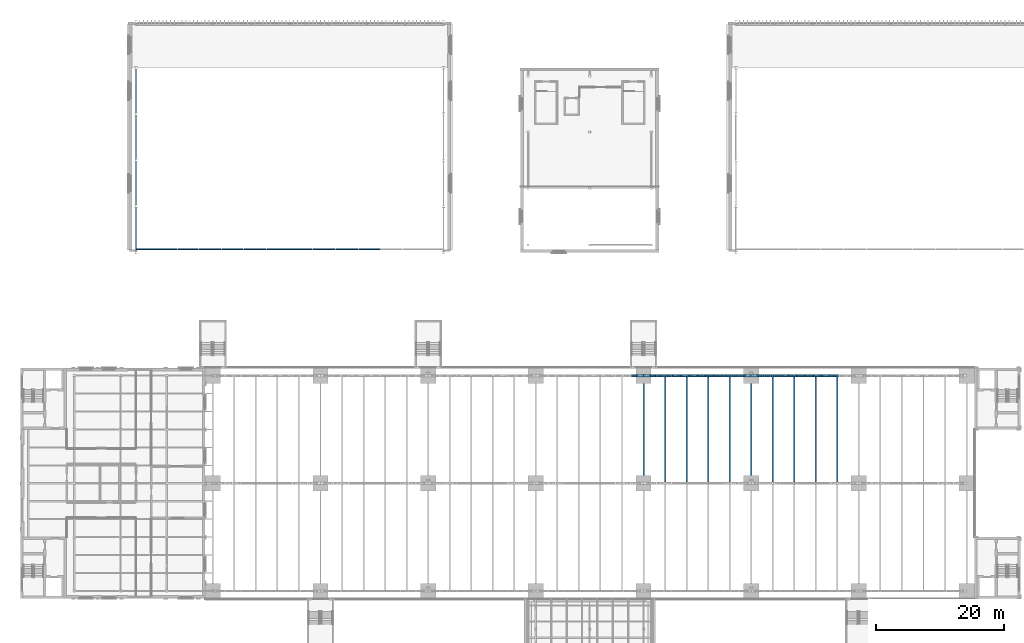
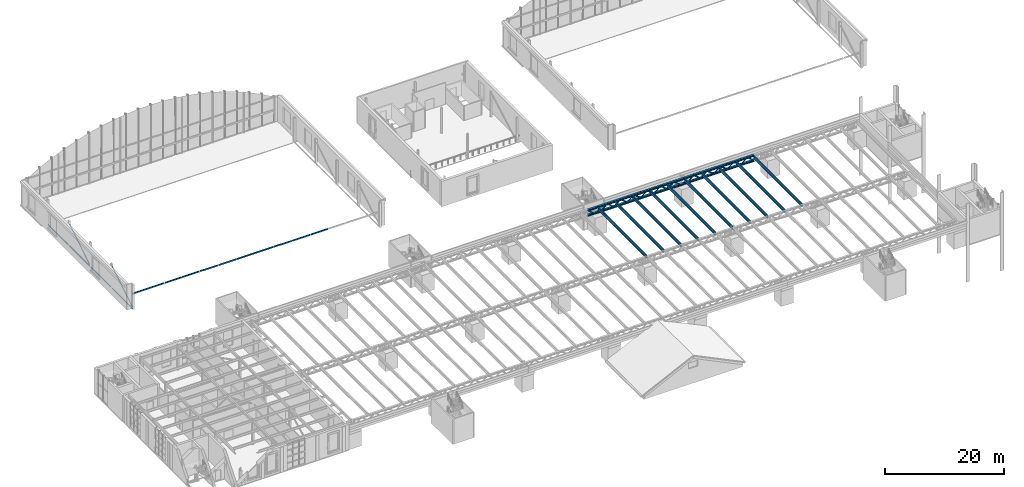
# One storey, part 26 of 93: 71 members, 23 beams.
"""IFC4 building model written with IfcOpenShell, lengths in metres."""

from ifc_helpers import new_model, si_unit, direction, frame, origin, origin_2d, place, context, subcontext, project, spatial, hollow_rectangle, i_section, extrude, material, material_profile, profile_set, type_object, element, save


model = new_model("IFC4")

# Units and contexts
model_context = context("Model", 3, precision=1e-05, world=origin(), true_north=direction((0.0, 1.0)))
body_context = subcontext(model_context, "Body", "Model", "MODEL_VIEW")
ifc_project = project(units=[si_unit("LENGTHUNIT", "METRE"), si_unit("AREAUNIT", "SQUARE_METRE"), si_unit("VOLUMEUNIT", "CUBIC_METRE"), si_unit("PLANEANGLEUNIT", "RADIAN"), si_unit("MASSUNIT", "GRAM", prefix="KILO")], contexts=[model_context])

# Site, building, storey
site_placement = place(None, origin())
site = spatial("IfcSite", under=ifc_project, at=site_placement, CompositionType="ELEMENT")
building_placement = place(site_placement, origin())
building = spatial("IfcBuilding", under=site, at=building_placement, Name="Verrick Yard Athletic Hall", CompositionType="ELEMENT")
storey_placement = place(building_placement, frame((0.0, 0.0, 8.800048828125)))
storey = spatial("IfcBuildingStorey", under=building, at=storey_placement, Name="L02", CompositionType="ELEMENT", Elevation=8.800048828125)

# Beams
ifc_material_1 = material(Name="Structural steel HSS Class C 350W (CSA G40.20/G40.21)", Category="steel")
ifc_material_profile_1 = material_profile(ifc_material_1, hollow_rectangle(XDim=0.1015625, YDim=0.203125, WallThickness=0.009521484375, at=origin_2d()), Name="HSS203x102x9.5")
ifc_profile_set_1 = profile_set([ifc_material_profile_1], Name="Structural steel HSS Class C 350W (CSA G40.20/G40.21)")
beam_type_1 = type_object("IfcBeamType", Name="HB eaves girt HSS203x102x9.5", PredefinedType="BEAM", material=ifc_profile_set_1)
for number, where, z_axis, x_axis, name in (
    (1, (28.0, 72.177978515625, 0.0), (0.0, 1.0, 0.0), (-1.0, 0.0, 0.0), "HB-GT-BW-1-L02"),
    (2, (28.0, 79.3779296875, 0.0), (0.0, 1.0, 0.0), (-1.0, 0.0, 0.0), "HB-GT-BW-2-L02"),
):
    element("IfcBeam", number, at=place(storey_placement, frame(where, z_axis=z_axis, x_axis=x_axis)), inside=storey, type_object=beam_type_1, Name=name, PredefinedType="BEAM", context=body_context, shape_type="SweptSolid", body=[
        extrude(hollow_rectangle(XDim=0.1015625, YDim=0.203125, WallThickness=0.009521484375, at=origin_2d()), origin(), (0.0, 0.0, 1.0), 6.843994140625),
    ])
beam_1_placement = place(storey_placement, frame((28.0, 86.577880859375, 0.0), z_axis=(0.0, 1.0, 0.0), x_axis=(-1.0, 0.0, 0.0)))
element("IfcBeam", 3, at=beam_1_placement, inside=storey, type_object=beam_type_1, Name="HB-GT-BW-3-L02", PredefinedType="BEAM", context=body_context, shape_type="SweptSolid", body=[
    extrude(hollow_rectangle(XDim=0.1015625, YDim=0.203125, WallThickness=0.009521484375, at=origin_2d()), origin(), (0.0, 0.0, 1.0), 6.84423828125),
])
beam_2_placement = place(storey_placement, frame((28.0, 93.778076171875, 0.0), z_axis=(0.0, 1.0, 0.0), x_axis=(-1.0, 0.0, 0.0)))
element("IfcBeam", 4, at=beam_2_placement, inside=storey, type_object=beam_type_1, Name="HB-GT-BW-4-L02", PredefinedType="BEAM", context=body_context, shape_type="SweptSolid", body=[
    extrude(hollow_rectangle(XDim=0.1015625, YDim=0.203125, WallThickness=0.009521484375, at=origin_2d()), origin(), (0.0, 0.0, 1.0), 6.843994140625),
])

# Members
ifc_material_profile_2 = material_profile(ifc_material_1, hollow_rectangle(XDim=0.126953125, YDim=0.126953125, WallThickness=0.009521484375, at=origin_2d()), Name="HSS127x127x9.5")
ifc_profile_set_2 = profile_set([ifc_material_profile_2], Name="Structural steel HSS Class C 350W (CSA G40.20/G40.21)")
member_type_1 = type_object("IfcMemberType", Name="HB wall brace HSS127x127x9.5", PredefinedType="BRACE", material=ifc_profile_set_2)
member_1_placement = place(storey_placement, frame((28.0, 72.21142578125, 0.272216796875), z_axis=(0.0, 0.850212270843, 0.526440019858), x_axis=(-1.0, 0.0, 0.0)))
element("IfcMember", 5, at=member_1_placement, inside=storey, type_object=member_type_1, Name="HB-BRW-BW-1-L02", PredefinedType="BRACE", context=body_context, shape_type="SweptSolid", body=[
    extrude(hollow_rectangle(XDim=0.126953125, YDim=0.126953125, WallThickness=0.009521484375, at=origin_2d()), origin(), (0.0, 0.0, 1.0), 7.970947265625),
])
member_2_placement = place(storey_placement, frame((28.0, 86.611328125, 0.272216796875), z_axis=(0.0, 0.850220758823, 0.526426311335), x_axis=(-1.0, 0.0, 0.0)))
element("IfcMember", 6, at=member_2_placement, inside=storey, type_object=member_type_1, Name="HB-BRW-BW-3-L02", PredefinedType="BRACE", context=body_context, shape_type="SweptSolid", body=[
    extrude(hollow_rectangle(XDim=0.126953125, YDim=0.126953125, WallThickness=0.009521484375, at=origin_2d()), origin(), (0.0, 0.0, 1.0), 7.97119140625),
])

# Beams
ifc_material_profile_3 = material_profile(ifc_material_1, hollow_rectangle(XDim=0.15234375, YDim=0.25390625, WallThickness=0.009521484375, at=origin_2d()), Name="HSS254x152x9.5")
ifc_profile_set_3 = profile_set([ifc_material_profile_3], Name="Structural steel HSS Class C 350W (CSA G40.20/G40.21)")
beam_type_2 = type_object("IfcBeamType", Name="HB wind girder HSS254x152x9.5", PredefinedType="BEAM", material=ifc_profile_set_3)
beam_3_placement = place(storey_placement, frame((28.076171875, 72.49462890625, 2.800048828125), z_axis=(1.0, 0.0, 0.0), x_axis=(0.0, 1.0, 0.0)))
element("IfcBeam", 7, at=beam_3_placement, inside=storey, type_object=beam_type_2, Name="HB-WG-BS-116-1", PredefinedType="BEAM", context=body_context, shape_type="SweptSolid", body=[
    extrude(hollow_rectangle(XDim=0.15234375, YDim=0.25390625, WallThickness=0.009521484375, at=origin_2d()), origin(), (0.0, 0.0, 1.0), 6.271240234375),
])
beam_4_placement = place(storey_placement, frame((34.499755859375, 72.49462890625, 2.800048828125), z_axis=(1.0, 0.0, 0.0), x_axis=(0.0, 1.0, 0.0)))
element("IfcBeam", 8, at=beam_4_placement, inside=storey, type_object=beam_type_2, Name="HB-WG-BS-116-2", PredefinedType="BEAM", context=body_context, shape_type="SweptSolid", body=[
    extrude(hollow_rectangle(XDim=0.15234375, YDim=0.25390625, WallThickness=0.009521484375, at=origin_2d()), origin(), (0.0, 0.0, 1.0), 3.2314453125),
])
beam_5_placement = place(storey_placement, frame((37.8837890625, 72.49462890625, 2.800048828125), z_axis=(1.0, 0.0, 0.0), x_axis=(0.0, 1.0, 0.0)))
element("IfcBeam", 9, at=beam_5_placement, inside=storey, type_object=beam_type_2, Name="HB-WG-BS-116-3", PredefinedType="BEAM", context=body_context, shape_type="SweptSolid", body=[
    extrude(hollow_rectangle(XDim=0.15234375, YDim=0.25390625, WallThickness=0.009521484375, at=origin_2d()), origin(), (0.0, 0.0, 1.0), 3.318603515625),
])
beam_6_placement = place(storey_placement, frame((41.354736328125, 72.49462890625, 2.800048828125), z_axis=(1.0, 0.0, 0.0), x_axis=(0.0, 1.0, 0.0)))
element("IfcBeam", 10, at=beam_6_placement, inside=storey, type_object=beam_type_2, Name="HB-WG-BS-116-4", PredefinedType="BEAM", context=body_context, shape_type="SweptSolid", body=[
    extrude(hollow_rectangle(XDim=0.15234375, YDim=0.25390625, WallThickness=0.009521484375, at=origin_2d()), origin(), (0.0, 0.0, 1.0), 3.384521484375),
])
beam_7_placement = place(storey_placement, frame((44.891845703125, 72.49462890625, 2.800048828125), z_axis=(1.0, 0.0, 0.0), x_axis=(0.0, 1.0, 0.0)))
element("IfcBeam", 11, at=beam_7_placement, inside=storey, type_object=beam_type_2, Name="HB-WG-BS-116-5", PredefinedType="BEAM", context=body_context, shape_type="SweptSolid", body=[
    extrude(hollow_rectangle(XDim=0.15234375, YDim=0.25390625, WallThickness=0.009521484375, at=origin_2d()), origin(), (0.0, 0.0, 1.0), 3.4287109375),
])
beam_8_placement = place(storey_placement, frame((48.472900390625, 72.49462890625, 2.800048828125), z_axis=(1.0, 0.0, 0.0), x_axis=(0.0, 1.0, 0.0)))
element("IfcBeam", 12, at=beam_8_placement, inside=storey, type_object=beam_type_2, Name="HB-WG-BS-116-6", PredefinedType="BEAM", context=body_context, shape_type="SweptSolid", body=[
    extrude(hollow_rectangle(XDim=0.15234375, YDim=0.25390625, WallThickness=0.009521484375, at=origin_2d()), origin(), (0.0, 0.0, 1.0), 7.05419921875),
])
beam_9_placement = place(storey_placement, frame((55.679443359375, 72.49462890625, 2.800048828125), z_axis=(1.0, 0.0, 0.0), x_axis=(0.0, 1.0, 0.0)))
element("IfcBeam", 13, at=beam_9_placement, inside=storey, type_object=beam_type_2, Name="HB-WG-BS-116-7", PredefinedType="BEAM", context=body_context, shape_type="SweptSolid", body=[
    extrude(hollow_rectangle(XDim=0.15234375, YDim=0.25390625, WallThickness=0.009521484375, at=origin_2d()), origin(), (0.0, 0.0, 1.0), 3.4287109375),
])
beam_10_placement = place(storey_placement, frame((59.2607421875, 72.49462890625, 2.800048828125), z_axis=(1.0, 0.0, 0.0), x_axis=(0.0, 1.0, 0.0)))
element("IfcBeam", 14, at=beam_10_placement, inside=storey, type_object=beam_type_2, Name="HB-WG-BS-116-8", PredefinedType="BEAM", context=body_context, shape_type="SweptSolid", body=[
    extrude(hollow_rectangle(XDim=0.15234375, YDim=0.25390625, WallThickness=0.009521484375, at=origin_2d()), origin(), (0.0, 0.0, 1.0), 3.384521484375),
])
beam_11_placement = place(storey_placement, frame((62.797607421875, 72.49462890625, 2.800048828125), z_axis=(1.0, 0.0, 0.0), x_axis=(0.0, 1.0, 0.0)))
element("IfcBeam", 15, at=beam_11_placement, inside=storey, type_object=beam_type_2, Name="HB-WG-BS-116-9", PredefinedType="BEAM", context=body_context, shape_type="SweptSolid", body=[
    extrude(hollow_rectangle(XDim=0.15234375, YDim=0.25390625, WallThickness=0.009521484375, at=origin_2d()), origin(), (0.0, 0.0, 1.0), 3.318603515625),
])

# Members
ifc_material_2 = material(Name="Structural steel 350W (CSA G40.21)", Category="steel")
ifc_material_profile_4 = material_profile(ifc_material_2, i_section(OverallWidth=0.368896484375, OverallDepth=0.35595703125, WebThickness=0.01123046875, FlangeThickness=0.01806640625, at=origin_2d()), Name="W360x134")
ifc_profile_set_4 = profile_set([ifc_material_profile_4], Name="Structural steel 350W (CSA G40.21)")
member_type_2 = type_object("IfcMemberType", Name="STR Edge truss bottom chord W360x134", PredefinedType="CHORD", material=ifc_profile_set_4)
for number, where, z_axis, x_axis, name in (
    (16, (105.300048828125, 52.800048828125, 3.827880859375), (1.0, 0.0, 0.0), (0.0, 1.0, 0.0), "STR-BC-GC4-12"),
    (17, (107.22509765625, 52.800048828125, 3.827880859375), (1.0, 0.0, 0.0), (0.0, 1.0, 0.0), "STR-BC-GC5-1"),
):
    element("IfcMember", number, at=place(storey_placement, frame(where, z_axis=z_axis, x_axis=x_axis)), inside=storey, type_object=member_type_2, Name=name, PredefinedType="CHORD", context=body_context, shape_type="SweptSolid", body=[
        extrude(i_section(OverallWidth=0.368896484375, OverallDepth=0.35595703125, WebThickness=0.01123046875, FlangeThickness=0.01806640625, at=origin_2d()), origin(), (0.0, 0.0, 1.0), 1.875),
    ])
member_3_placement = place(storey_placement, frame((109.10009765625, 52.800048828125, 3.827880859375), z_axis=(1.0, 0.0, 0.0), x_axis=(0.0, 1.0, 0.0)))
element("IfcMember", 18, at=member_3_placement, inside=storey, type_object=member_type_2, Name="STR-BC-GC5-2", PredefinedType="CHORD", context=body_context, shape_type="SweptSolid", body=[
    extrude(i_section(OverallWidth=0.368896484375, OverallDepth=0.35595703125, WebThickness=0.01123046875, FlangeThickness=0.01806640625, at=origin_2d()), origin(), (0.0, 0.0, 1.0), 1.2998046875),
])
for number, where, z_axis, x_axis, name in (
    (19, (110.39990234375, 52.800048828125, 3.827880859375), (1.0, 0.0, 0.0), (0.0, 1.0, 0.0), "STR-BC-GC5-3"),
    (20, (111.699951171875, 52.800048828125, 3.827880859375), (1.0, 0.0, 0.0), (0.0, 1.0, 0.0), "STR-BC-GC5-4"),
    (21, (113.0, 52.800048828125, 3.827880859375), (1.0, 0.0, 0.0), (0.0, 1.0, 0.0), "STR-BC-GC5-5"),
    (22, (114.300048828125, 52.800048828125, 3.827880859375), (1.0, 0.0, 0.0), (0.0, 1.0, 0.0), "STR-BC-GC5-6"),
):
    element("IfcMember", number, at=place(storey_placement, frame(where, z_axis=z_axis, x_axis=x_axis)), inside=storey, type_object=member_type_2, Name=name, PredefinedType="CHORD", context=body_context, shape_type="SweptSolid", body=[
        extrude(i_section(OverallWidth=0.368896484375, OverallDepth=0.35595703125, WebThickness=0.01123046875, FlangeThickness=0.01806640625, at=origin_2d()), origin(), (0.0, 0.0, 1.0), 1.300048828125),
    ])
member_4_placement = place(storey_placement, frame((115.60009765625, 52.800048828125, 3.827880859375), z_axis=(1.0, 0.0, 0.0), x_axis=(0.0, 1.0, 0.0)))
element("IfcMember", 23, at=member_4_placement, inside=storey, type_object=member_type_2, Name="STR-BC-GC5-7", PredefinedType="CHORD", context=body_context, shape_type="SweptSolid", body=[
    extrude(i_section(OverallWidth=0.368896484375, OverallDepth=0.35595703125, WebThickness=0.01123046875, FlangeThickness=0.01806640625, at=origin_2d()), origin(), (0.0, 0.0, 1.0), 1.2998046875),
])
for number, where, z_axis, x_axis, name in (
    (24, (116.89990234375, 52.800048828125, 3.827880859375), (1.0, 0.0, 0.0), (0.0, 1.0, 0.0), "STR-BC-GC5-8"),
    (25, (118.199951171875, 52.800048828125, 3.827880859375), (1.0, 0.0, 0.0), (0.0, 1.0, 0.0), "STR-BC-GC5-9"),
    (26, (119.5, 52.800048828125, 3.827880859375), (1.0, 0.0, 0.0), (0.0, 1.0, 0.0), "STR-BC-GC5-10"),
    (27, (120.800048828125, 52.800048828125, 3.827880859375), (1.0, 0.0, 0.0), (0.0, 1.0, 0.0), "STR-BC-GC5-11"),
):
    element("IfcMember", number, at=place(storey_placement, frame(where, z_axis=z_axis, x_axis=x_axis)), inside=storey, type_object=member_type_2, Name=name, PredefinedType="CHORD", context=body_context, shape_type="SweptSolid", body=[
        extrude(i_section(OverallWidth=0.368896484375, OverallDepth=0.35595703125, WebThickness=0.01123046875, FlangeThickness=0.01806640625, at=origin_2d()), origin(), (0.0, 0.0, 1.0), 1.300048828125),
    ])
for number, where, z_axis, x_axis, name in (
    (28, (122.10009765625, 52.800048828125, 3.827880859375), (1.0, 0.0, 0.0), (0.0, 1.0, 0.0), "STR-BC-GC5-12"),
    (29, (124.02490234375, 52.800048828125, 3.827880859375), (1.0, 0.0, 0.0), (0.0, 1.0, 0.0), "STR-BC-GC6-1"),
):
    element("IfcMember", number, at=place(storey_placement, frame(where, z_axis=z_axis, x_axis=x_axis)), inside=storey, type_object=member_type_2, Name=name, PredefinedType="CHORD", context=body_context, shape_type="SweptSolid", body=[
        extrude(i_section(OverallWidth=0.368896484375, OverallDepth=0.35595703125, WebThickness=0.01123046875, FlangeThickness=0.01806640625, at=origin_2d()), origin(), (0.0, 0.0, 1.0), 1.875),
    ])
for number, where, z_axis, x_axis, name in (
    (30, (125.89990234375, 52.800048828125, 3.827880859375), (1.0, 0.0, 0.0), (0.0, 1.0, 0.0), "STR-BC-GC6-2"),
    (31, (127.199951171875, 52.800048828125, 3.827880859375), (1.0, 0.0, 0.0), (0.0, 1.0, 0.0), "STR-BC-GC6-3"),
    (32, (128.5, 52.800048828125, 3.827880859375), (1.0, 0.0, 0.0), (0.0, 1.0, 0.0), "STR-BC-GC6-4"),
    (33, (129.800048828125, 52.800048828125, 3.827880859375), (1.0, 0.0, 0.0), (0.0, 1.0, 0.0), "STR-BC-GC6-5"),
):
    element("IfcMember", number, at=place(storey_placement, frame(where, z_axis=z_axis, x_axis=x_axis)), inside=storey, type_object=member_type_2, Name=name, PredefinedType="CHORD", context=body_context, shape_type="SweptSolid", body=[
        extrude(i_section(OverallWidth=0.368896484375, OverallDepth=0.35595703125, WebThickness=0.01123046875, FlangeThickness=0.01806640625, at=origin_2d()), origin(), (0.0, 0.0, 1.0), 1.300048828125),
    ])
member_5_placement = place(storey_placement, frame((131.10009765625, 52.800048828125, 3.827880859375), z_axis=(1.0, 0.0, 0.0), x_axis=(0.0, 1.0, 0.0)))
element("IfcMember", 34, at=member_5_placement, inside=storey, type_object=member_type_2, Name="STR-BC-GC6-6", PredefinedType="CHORD", context=body_context, shape_type="SweptSolid", body=[
    extrude(i_section(OverallWidth=0.368896484375, OverallDepth=0.35595703125, WebThickness=0.01123046875, FlangeThickness=0.01806640625, at=origin_2d()), origin(), (0.0, 0.0, 1.0), 1.2998046875),
])
for number, where, z_axis, x_axis, name in (
    (35, (132.39990234375, 52.800048828125, 3.827880859375), (1.0, 0.0, 0.0), (0.0, 1.0, 0.0), "STR-BC-GC6-7"),
    (36, (133.699951171875, 52.800048828125, 3.827880859375), (1.0, 0.0, 0.0), (0.0, 1.0, 0.0), "STR-BC-GC6-8"),
    (37, (135.0, 52.800048828125, 3.827880859375), (1.0, 0.0, 0.0), (0.0, 1.0, 0.0), "STR-BC-GC6-9"),
    (38, (136.300048828125, 52.800048828125, 3.827880859375), (1.0, 0.0, 0.0), (0.0, 1.0, 0.0), "STR-BC-GC6-10"),
):
    element("IfcMember", number, at=place(storey_placement, frame(where, z_axis=z_axis, x_axis=x_axis)), inside=storey, type_object=member_type_2, Name=name, PredefinedType="CHORD", context=body_context, shape_type="SweptSolid", body=[
        extrude(i_section(OverallWidth=0.368896484375, OverallDepth=0.35595703125, WebThickness=0.01123046875, FlangeThickness=0.01806640625, at=origin_2d()), origin(), (0.0, 0.0, 1.0), 1.300048828125),
    ])
ifc_material_profile_5 = material_profile(ifc_material_2, i_section(OverallWidth=0.368896484375, OverallDepth=0.35595703125, WebThickness=0.01123046875, FlangeThickness=0.01806640625, at=origin_2d()), Name="W360x134")
ifc_profile_set_5 = profile_set([ifc_material_profile_5], Name="Structural steel 350W (CSA G40.21)")
member_type_3 = type_object("IfcMemberType", Name="STR Edge truss top chord W360x134", PredefinedType="CHORD", material=ifc_profile_set_5)
for number, where, z_axis, x_axis, name in (
    (39, (105.300048828125, 52.800048828125, 4.8720703125), (1.0, 0.0, 0.0), (0.0, 1.0, 0.0), "STR-TC-GC4-12"),
    (40, (107.22509765625, 52.800048828125, 4.8720703125), (1.0, 0.0, 0.0), (0.0, 1.0, 0.0), "STR-TC-GC5-1"),
):
    element("IfcMember", number, at=place(storey_placement, frame(where, z_axis=z_axis, x_axis=x_axis)), inside=storey, type_object=member_type_3, Name=name, PredefinedType="CHORD", context=body_context, shape_type="SweptSolid", body=[
        extrude(i_section(OverallWidth=0.368896484375, OverallDepth=0.35595703125, WebThickness=0.01123046875, FlangeThickness=0.01806640625, at=origin_2d()), origin(), (0.0, 0.0, 1.0), 1.875),
    ])
member_6_placement = place(storey_placement, frame((109.10009765625, 52.800048828125, 4.8720703125), z_axis=(1.0, 0.0, 0.0), x_axis=(0.0, 1.0, 0.0)))
element("IfcMember", 41, at=member_6_placement, inside=storey, type_object=member_type_3, Name="STR-TC-GC5-2", PredefinedType="CHORD", context=body_context, shape_type="SweptSolid", body=[
    extrude(i_section(OverallWidth=0.368896484375, OverallDepth=0.35595703125, WebThickness=0.01123046875, FlangeThickness=0.01806640625, at=origin_2d()), origin(), (0.0, 0.0, 1.0), 1.2998046875),
])
for number, where, z_axis, x_axis, name in (
    (42, (110.39990234375, 52.800048828125, 4.8720703125), (1.0, 0.0, 0.0), (0.0, 1.0, 0.0), "STR-TC-GC5-3"),
    (43, (111.699951171875, 52.800048828125, 4.8720703125), (1.0, 0.0, 0.0), (0.0, 1.0, 0.0), "STR-TC-GC5-4"),
    (44, (113.0, 52.800048828125, 4.8720703125), (1.0, 0.0, 0.0), (0.0, 1.0, 0.0), "STR-TC-GC5-5"),
    (45, (114.300048828125, 52.800048828125, 4.8720703125), (1.0, 0.0, 0.0), (0.0, 1.0, 0.0), "STR-TC-GC5-6"),
):
    element("IfcMember", number, at=place(storey_placement, frame(where, z_axis=z_axis, x_axis=x_axis)), inside=storey, type_object=member_type_3, Name=name, PredefinedType="CHORD", context=body_context, shape_type="SweptSolid", body=[
        extrude(i_section(OverallWidth=0.368896484375, OverallDepth=0.35595703125, WebThickness=0.01123046875, FlangeThickness=0.01806640625, at=origin_2d()), origin(), (0.0, 0.0, 1.0), 1.300048828125),
    ])
member_7_placement = place(storey_placement, frame((115.60009765625, 52.800048828125, 4.8720703125), z_axis=(1.0, 0.0, 0.0), x_axis=(0.0, 1.0, 0.0)))
element("IfcMember", 46, at=member_7_placement, inside=storey, type_object=member_type_3, Name="STR-TC-GC5-7", PredefinedType="CHORD", context=body_context, shape_type="SweptSolid", body=[
    extrude(i_section(OverallWidth=0.368896484375, OverallDepth=0.35595703125, WebThickness=0.01123046875, FlangeThickness=0.01806640625, at=origin_2d()), origin(), (0.0, 0.0, 1.0), 1.2998046875),
])
for number, where, z_axis, x_axis, name in (
    (47, (116.89990234375, 52.800048828125, 4.8720703125), (1.0, 0.0, 0.0), (0.0, 1.0, 0.0), "STR-TC-GC5-8"),
    (48, (118.199951171875, 52.800048828125, 4.8720703125), (1.0, 0.0, 0.0), (0.0, 1.0, 0.0), "STR-TC-GC5-9"),
    (49, (119.5, 52.800048828125, 4.8720703125), (1.0, 0.0, 0.0), (0.0, 1.0, 0.0), "STR-TC-GC5-10"),
    (50, (120.800048828125, 52.800048828125, 4.8720703125), (1.0, 0.0, 0.0), (0.0, 1.0, 0.0), "STR-TC-GC5-11"),
):
    element("IfcMember", number, at=place(storey_placement, frame(where, z_axis=z_axis, x_axis=x_axis)), inside=storey, type_object=member_type_3, Name=name, PredefinedType="CHORD", context=body_context, shape_type="SweptSolid", body=[
        extrude(i_section(OverallWidth=0.368896484375, OverallDepth=0.35595703125, WebThickness=0.01123046875, FlangeThickness=0.01806640625, at=origin_2d()), origin(), (0.0, 0.0, 1.0), 1.300048828125),
    ])
for number, where, z_axis, x_axis, name in (
    (51, (122.10009765625, 52.800048828125, 4.8720703125), (1.0, 0.0, 0.0), (0.0, 1.0, 0.0), "STR-TC-GC5-12"),
    (52, (124.02490234375, 52.800048828125, 4.8720703125), (1.0, 0.0, 0.0), (0.0, 1.0, 0.0), "STR-TC-GC6-1"),
):
    element("IfcMember", number, at=place(storey_placement, frame(where, z_axis=z_axis, x_axis=x_axis)), inside=storey, type_object=member_type_3, Name=name, PredefinedType="CHORD", context=body_context, shape_type="SweptSolid", body=[
        extrude(i_section(OverallWidth=0.368896484375, OverallDepth=0.35595703125, WebThickness=0.01123046875, FlangeThickness=0.01806640625, at=origin_2d()), origin(), (0.0, 0.0, 1.0), 1.875),
    ])
for number, where, z_axis, x_axis, name in (
    (53, (125.89990234375, 52.800048828125, 4.8720703125), (1.0, 0.0, 0.0), (0.0, 1.0, 0.0), "STR-TC-GC6-2"),
    (54, (127.199951171875, 52.800048828125, 4.8720703125), (1.0, 0.0, 0.0), (0.0, 1.0, 0.0), "STR-TC-GC6-3"),
    (55, (128.5, 52.800048828125, 4.8720703125), (1.0, 0.0, 0.0), (0.0, 1.0, 0.0), "STR-TC-GC6-4"),
    (56, (129.800048828125, 52.800048828125, 4.8720703125), (1.0, 0.0, 0.0), (0.0, 1.0, 0.0), "STR-TC-GC6-5"),
):
    element("IfcMember", number, at=place(storey_placement, frame(where, z_axis=z_axis, x_axis=x_axis)), inside=storey, type_object=member_type_3, Name=name, PredefinedType="CHORD", context=body_context, shape_type="SweptSolid", body=[
        extrude(i_section(OverallWidth=0.368896484375, OverallDepth=0.35595703125, WebThickness=0.01123046875, FlangeThickness=0.01806640625, at=origin_2d()), origin(), (0.0, 0.0, 1.0), 1.300048828125),
    ])
member_8_placement = place(storey_placement, frame((131.10009765625, 52.800048828125, 4.8720703125), z_axis=(1.0, 0.0, 0.0), x_axis=(0.0, 1.0, 0.0)))
element("IfcMember", 57, at=member_8_placement, inside=storey, type_object=member_type_3, Name="STR-TC-GC6-6", PredefinedType="CHORD", context=body_context, shape_type="SweptSolid", body=[
    extrude(i_section(OverallWidth=0.368896484375, OverallDepth=0.35595703125, WebThickness=0.01123046875, FlangeThickness=0.01806640625, at=origin_2d()), origin(), (0.0, 0.0, 1.0), 1.2998046875),
])
for number, where, z_axis, x_axis, name in (
    (58, (132.39990234375, 52.800048828125, 4.8720703125), (1.0, 0.0, 0.0), (0.0, 1.0, 0.0), "STR-TC-GC6-7"),
    (59, (133.699951171875, 52.800048828125, 4.8720703125), (1.0, 0.0, 0.0), (0.0, 1.0, 0.0), "STR-TC-GC6-8"),
    (60, (135.0, 52.800048828125, 4.8720703125), (1.0, 0.0, 0.0), (0.0, 1.0, 0.0), "STR-TC-GC6-9"),
    (61, (136.300048828125, 52.800048828125, 4.8720703125), (1.0, 0.0, 0.0), (0.0, 1.0, 0.0), "STR-TC-GC6-10"),
):
    element("IfcMember", number, at=place(storey_placement, frame(where, z_axis=z_axis, x_axis=x_axis)), inside=storey, type_object=member_type_3, Name=name, PredefinedType="CHORD", context=body_context, shape_type="SweptSolid", body=[
        extrude(i_section(OverallWidth=0.368896484375, OverallDepth=0.35595703125, WebThickness=0.01123046875, FlangeThickness=0.01806640625, at=origin_2d()), origin(), (0.0, 0.0, 1.0), 1.300048828125),
    ])
ifc_material_profile_6 = material_profile(ifc_material_1, hollow_rectangle(XDim=0.126953125, YDim=0.126953125, WallThickness=0.009521484375, at=origin_2d()), Name="HSS127x127x9.5")
ifc_profile_set_6 = profile_set([ifc_material_profile_6], Name="Structural steel HSS Class C 350W (CSA G40.20/G40.21)")
member_type_4 = type_object("IfcMemberType", Name="STR Edge truss web HSS127x127x9.5", PredefinedType="BRACE", material=ifc_profile_set_6)
for number, where, z_axis, x_axis, name in (
    (62, (111.90234375, 52.800048828125, 4.641357421875), (0.838083139624, 0.0, -0.54554252912), (0.0, 1.0, 0.0), "STR-TW-GC5-4"),
    (63, (113.202392578125, 52.800048828125, 4.05859375), (0.838083139624, 0.0, 0.54554252912), (0.0, 1.0, 0.0), "STR-TW-GC5-5"),
    (64, (114.50244140625, 52.800048828125, 4.641357421875), (0.838083139624, 0.0, -0.54554252912), (0.0, 1.0, 0.0), "STR-TW-GC5-6"),
):
    element("IfcMember", number, at=place(storey_placement, frame(where, z_axis=z_axis, x_axis=x_axis)), inside=storey, type_object=member_type_4, Name=name, PredefinedType="BRACE", context=body_context, shape_type="SweptSolid", body=[
        extrude(hollow_rectangle(XDim=0.126953125, YDim=0.126953125, WallThickness=0.009521484375, at=origin_2d()), origin(), (0.0, 0.0, 1.0), 1.068115234375),
    ])
member_9_placement = place(storey_placement, frame((115.80224609375, 52.800048828125, 4.05859375), z_axis=(0.838151139583, 0.0, 0.545438050759), x_axis=(0.0, 1.0, 0.0)))
element("IfcMember", 65, at=member_9_placement, inside=storey, type_object=member_type_4, Name="STR-TW-GC5-7", PredefinedType="BRACE", context=body_context, shape_type="SweptSolid", body=[
    extrude(hollow_rectangle(XDim=0.126953125, YDim=0.126953125, WallThickness=0.009521484375, at=origin_2d()), origin(), (0.0, 0.0, 1.0), 1.068359375),
])
for number, where, z_axis, x_axis, name in (
    (66, (117.102294921875, 52.800048828125, 4.641357421875), (0.838083139624, 0.0, -0.54554252912), (0.0, 1.0, 0.0), "STR-TW-GC5-8"),
    (67, (118.40234375, 52.800048828125, 4.05859375), (0.838083139624, 0.0, 0.54554252912), (0.0, 1.0, 0.0), "STR-TW-GC5-9"),
    (68, (128.702392578125, 52.800048828125, 4.641357421875), (0.838083139624, 0.0, -0.54554252912), (0.0, 1.0, 0.0), "STR-TW-GC6-4"),
    (69, (130.00244140625, 52.800048828125, 4.05859375), (0.838083139624, 0.0, 0.54554252912), (0.0, 1.0, 0.0), "STR-TW-GC6-5"),
):
    element("IfcMember", number, at=place(storey_placement, frame(where, z_axis=z_axis, x_axis=x_axis)), inside=storey, type_object=member_type_4, Name=name, PredefinedType="BRACE", context=body_context, shape_type="SweptSolid", body=[
        extrude(hollow_rectangle(XDim=0.126953125, YDim=0.126953125, WallThickness=0.009521484375, at=origin_2d()), origin(), (0.0, 0.0, 1.0), 1.068115234375),
    ])
member_10_placement = place(storey_placement, frame((131.30224609375, 52.800048828125, 4.641357421875), z_axis=(0.838151139583, 0.0, -0.545438050759), x_axis=(0.0, 1.0, 0.0)))
element("IfcMember", 70, at=member_10_placement, inside=storey, type_object=member_type_4, Name="STR-TW-GC6-6", PredefinedType="BRACE", context=body_context, shape_type="SweptSolid", body=[
    extrude(hollow_rectangle(XDim=0.126953125, YDim=0.126953125, WallThickness=0.009521484375, at=origin_2d()), origin(), (0.0, 0.0, 1.0), 1.068359375),
])
for number, where, z_axis, x_axis, name in (
    (71, (132.602294921875, 52.800048828125, 4.05859375), (0.838083139624, 0.0, 0.54554252912), (0.0, 1.0, 0.0), "STR-TW-GC6-7"),
    (72, (133.90234375, 52.800048828125, 4.641357421875), (0.838083139624, 0.0, -0.54554252912), (0.0, 1.0, 0.0), "STR-TW-GC6-8"),
    (73, (135.202392578125, 52.800048828125, 4.05859375), (0.838083139624, 0.0, 0.54554252912), (0.0, 1.0, 0.0), "STR-TW-GC6-9"),
):
    element("IfcMember", number, at=place(storey_placement, frame(where, z_axis=z_axis, x_axis=x_axis)), inside=storey, type_object=member_type_4, Name=name, PredefinedType="BRACE", context=body_context, shape_type="SweptSolid", body=[
        extrude(hollow_rectangle(XDim=0.126953125, YDim=0.126953125, WallThickness=0.009521484375, at=origin_2d()), origin(), (0.0, 0.0, 1.0), 1.068115234375),
    ])
ifc_material_profile_7 = material_profile(ifc_material_1, hollow_rectangle(XDim=0.203125, YDim=0.203125, WallThickness=0.0126953125, at=origin_2d()), Name="HSS203x203x13")
ifc_profile_set_7 = profile_set([ifc_material_profile_7], Name="Structural steel HSS Class C 350W (CSA G40.20/G40.21)")
member_type_5 = type_object("IfcMemberType", Name="STR Edge truss web HSS203x203x13", PredefinedType="BRACE", material=ifc_profile_set_7)
member_11_placement = place(storey_placement, frame((105.565673828125, 52.800048828125, 4.615234375), z_axis=(0.780391329508, 0.0, -0.625291430318), x_axis=(0.0, 1.0, 0.0)))
element("IfcMember", 74, at=member_11_placement, inside=storey, type_object=member_type_5, Name="STR-TW-GC4-12", PredefinedType="BRACE", context=body_context, shape_type="SweptSolid", body=[
    extrude(hollow_rectangle(XDim=0.203125, YDim=0.203125, WallThickness=0.0126953125, at=origin_2d()), origin(), (0.0, 0.0, 1.0), 0.848388671875),
])
member_12_placement = place(storey_placement, frame((108.172119140625, 52.800048828125, 4.084716796875), z_axis=(0.780503800734, 0.0, 0.625151035383), x_axis=(0.0, 1.0, 0.0)))
element("IfcMember", 75, at=member_12_placement, inside=storey, type_object=member_type_5, Name="STR-TW-GC5-1", PredefinedType="BRACE", context=body_context, shape_type="SweptSolid", body=[
    extrude(hollow_rectangle(XDim=0.203125, YDim=0.203125, WallThickness=0.0126953125, at=origin_2d()), origin(), (0.0, 0.0, 1.0), 0.8486328125),
])
for number, where, z_axis, x_axis, name in (
    (76, (109.3896484375, 52.800048828125, 4.6123046875), (0.808333297144, 0.0, -0.588725131728), (0.0, 1.0, 0.0), "STR-TW-GC5-2"),
    (77, (110.689697265625, 52.800048828125, 4.08740234375), (0.808333297144, 0.0, 0.588725131728), (0.0, 1.0, 0.0), "STR-TW-GC5-3"),
):
    element("IfcMember", number, at=place(storey_placement, frame(where, z_axis=z_axis, x_axis=x_axis)), inside=storey, type_object=member_type_5, Name=name, PredefinedType="BRACE", context=body_context, shape_type="SweptSolid", body=[
        extrude(hollow_rectangle(XDim=0.203125, YDim=0.203125, WallThickness=0.0126953125, at=origin_2d()), origin(), (0.0, 0.0, 1.0), 0.8916015625),
    ])
member_13_placement = place(storey_placement, frame((119.78955078125, 52.800048828125, 4.6123046875), z_axis=(0.808428172865, 0.0, -0.588594843095), x_axis=(0.0, 1.0, 0.0)))
element("IfcMember", 78, at=member_13_placement, inside=storey, type_object=member_type_5, Name="STR-TW-GC5-10", PredefinedType="BRACE", context=body_context, shape_type="SweptSolid", body=[
    extrude(hollow_rectangle(XDim=0.203125, YDim=0.203125, WallThickness=0.0126953125, at=origin_2d()), origin(), (0.0, 0.0, 1.0), 0.891845703125),
])
member_14_placement = place(storey_placement, frame((121.089599609375, 52.800048828125, 4.08740234375), z_axis=(0.808333297144, 0.0, 0.588725131728), x_axis=(0.0, 1.0, 0.0)))
element("IfcMember", 79, at=member_14_placement, inside=storey, type_object=member_type_5, Name="STR-TW-GC5-11", PredefinedType="BRACE", context=body_context, shape_type="SweptSolid", body=[
    extrude(hollow_rectangle(XDim=0.203125, YDim=0.203125, WallThickness=0.0126953125, at=origin_2d()), origin(), (0.0, 0.0, 1.0), 0.8916015625),
])
for number, where, z_axis, x_axis, name in (
    (80, (122.36572265625, 52.800048828125, 4.615234375), (0.780391329508, 0.0, -0.625291430318), (0.0, 1.0, 0.0), "STR-TW-GC5-12"),
    (81, (124.97216796875, 52.800048828125, 4.084716796875), (0.780391329508, 0.0, 0.625291430318), (0.0, 1.0, 0.0), "STR-TW-GC6-1"),
):
    element("IfcMember", number, at=place(storey_placement, frame(where, z_axis=z_axis, x_axis=x_axis)), inside=storey, type_object=member_type_5, Name=name, PredefinedType="BRACE", context=body_context, shape_type="SweptSolid", body=[
        extrude(hollow_rectangle(XDim=0.203125, YDim=0.203125, WallThickness=0.0126953125, at=origin_2d()), origin(), (0.0, 0.0, 1.0), 0.848388671875),
    ])
member_15_placement = place(storey_placement, frame((126.189697265625, 52.800048828125, 4.6123046875), z_axis=(0.808333297144, 0.0, -0.588725131728), x_axis=(0.0, 1.0, 0.0)))
element("IfcMember", 82, at=member_15_placement, inside=storey, type_object=member_type_5, Name="STR-TW-GC6-2", PredefinedType="BRACE", context=body_context, shape_type="SweptSolid", body=[
    extrude(hollow_rectangle(XDim=0.203125, YDim=0.203125, WallThickness=0.0126953125, at=origin_2d()), origin(), (0.0, 0.0, 1.0), 0.8916015625),
])
member_16_placement = place(storey_placement, frame((127.489501953125, 52.800048828125, 4.08740234375), z_axis=(0.808428172865, 0.0, 0.588594843095), x_axis=(0.0, 1.0, 0.0)))
element("IfcMember", 83, at=member_16_placement, inside=storey, type_object=member_type_5, Name="STR-TW-GC6-3", PredefinedType="BRACE", context=body_context, shape_type="SweptSolid", body=[
    extrude(hollow_rectangle(XDim=0.203125, YDim=0.203125, WallThickness=0.0126953125, at=origin_2d()), origin(), (0.0, 0.0, 1.0), 0.891845703125),
])
member_17_placement = place(storey_placement, frame((136.589599609375, 52.800048828125, 4.6123046875), z_axis=(0.808333297144, 0.0, -0.588725131728), x_axis=(0.0, 1.0, 0.0)))
element("IfcMember", 84, at=member_17_placement, inside=storey, type_object=member_type_5, Name="STR-TW-GC6-10", PredefinedType="BRACE", context=body_context, shape_type="SweptSolid", body=[
    extrude(hollow_rectangle(XDim=0.203125, YDim=0.203125, WallThickness=0.0126953125, at=origin_2d()), origin(), (0.0, 0.0, 1.0), 0.8916015625),
])

# Beams
ifc_material_profile_8 = material_profile(ifc_material_2, i_section(OverallWidth=0.22802734375, OverallDepth=0.60791015625, WebThickness=0.01123046875, FlangeThickness=0.017333984375, at=origin_2d()), Name="W610x113")
ifc_profile_set_8 = profile_set([ifc_material_profile_8], Name="Structural steel 350W (CSA G40.21)")
beam_type_3 = type_object("IfcBeamType", Name="STR Secondary beam W610x113", PredefinedType="BEAM", material=ifc_profile_set_8)
for number, where, z_axis, x_axis, name in (
    (85, (110.56005859375, 36.18701171875, 4.745849609375), (0.0, 1.0, 0.0), (-1.0, 0.0, 0.0), "STR-SB-S251"),
    (86, (113.919921875, 36.18701171875, 4.745849609375), (0.0, 1.0, 0.0), (-1.0, 0.0, 0.0), "STR-SB-S252"),
    (87, (117.280029296875, 36.18701171875, 4.745849609375), (0.0, 1.0, 0.0), (-1.0, 0.0, 0.0), "STR-SB-S253"),
    (88, (120.639892578125, 36.18701171875, 4.745849609375), (0.0, 1.0, 0.0), (-1.0, 0.0, 0.0), "STR-SB-S254"),
    (89, (127.360107421875, 36.18701171875, 4.745849609375), (0.0, 1.0, 0.0), (-1.0, 0.0, 0.0), "STR-SB-S261"),
    (90, (130.719970703125, 36.18701171875, 4.745849609375), (0.0, 1.0, 0.0), (-1.0, 0.0, 0.0), "STR-SB-S262"),
    (91, (134.080078125, 36.18701171875, 4.745849609375), (0.0, 1.0, 0.0), (-1.0, 0.0, 0.0), "STR-SB-S263"),
    (92, (137.43994140625, 36.18701171875, 4.745849609375), (0.0, 1.0, 0.0), (-1.0, 0.0, 0.0), "STR-SB-S264"),
    (93, (107.199951171875, 36.18701171875, 4.745849609375), (0.0, 1.0, 0.0), (-1.0, 0.0, 0.0), "STR-SB-X5B"),
    (94, (124.0, 36.18701171875, 4.745849609375), (0.0, 1.0, 0.0), (-1.0, 0.0, 0.0), "STR-SB-X6B"),
):
    element("IfcBeam", number, at=place(storey_placement, frame(where, z_axis=z_axis, x_axis=x_axis)), inside=storey, type_object=beam_type_3, Name=name, PredefinedType="BEAM", context=body_context, shape_type="SweptSolid", body=[
        extrude(i_section(OverallWidth=0.22802734375, OverallDepth=0.60791015625, WebThickness=0.01123046875, FlangeThickness=0.017333984375, at=origin_2d()), origin(), (0.0, 0.0, 1.0), 16.428466796875),
    ])

save(model, "model.ifc")
